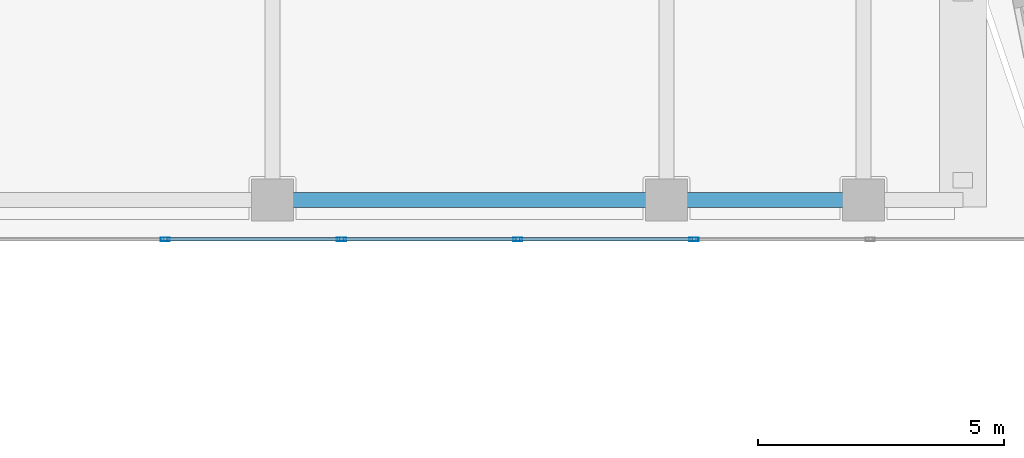
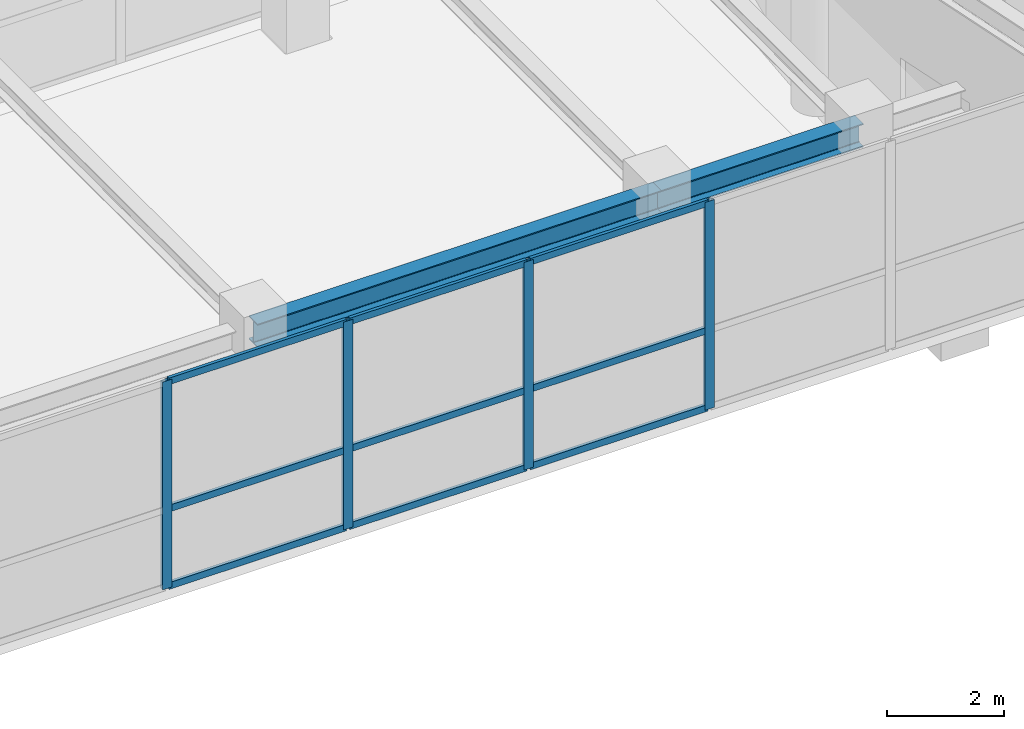
# One storey, part 18 of 44: 13 members, 2 beams, 1 element without a shape of its own.
"""IFC4 building model written with IfcOpenShell, lengths in metres."""

from ifc_helpers import new_model, si_unit, derived_unit, direction, frame, origin, origin_2d, place, context, subcontext, project, spatial, hollow_rectangle, i_section, extrude, source, transform, mapped, material, layer, layer_set, material_profile, profile_set, type_object, element, aggregate, save


model = new_model("IFC4")

# Units and contexts
model_context = context("Model", 3, precision=1e-05, world=origin(), true_north=direction((0.0, 1.0)))
body_context = subcontext(model_context, "Body", "Model", "MODEL_VIEW")
ifc_project = project(units=[si_unit("LENGTHUNIT", "METRE"), si_unit("AREAUNIT", "SQUARE_METRE"), si_unit("VOLUMEUNIT", "CUBIC_METRE"), si_unit("PLANEANGLEUNIT", "RADIAN"), si_unit("MASSUNIT", "GRAM", prefix="KILO"), derived_unit("THERMALTRANSMITTANCEUNIT", [(si_unit("POWERUNIT", "WATT"), 1), (si_unit("LENGTHUNIT", "METRE"), -2), (si_unit("THERMODYNAMICTEMPERATUREUNIT", "KELVIN"), -1)])], contexts=[model_context])

# Site, building, storey
site_placement = place(None, origin())
site = spatial("IfcSite", under=ifc_project, at=site_placement, CompositionType="ELEMENT")
building_placement = place(site_placement, origin())
building = spatial("IfcBuilding", under=site, at=building_placement, Name="Korsvarv Bourse and Concert Hall", CompositionType="ELEMENT")
storey_placement = place(building_placement, frame((0.0, 0.0, 9.60009765625)))
storey = spatial("IfcBuildingStorey", under=building, at=storey_placement, Name="L02", CompositionType="ELEMENT", Elevation=9.60009765625)

# Beams
ifc_material_1 = material(Name="Steel S355", Category="steel")
ifc_material_profile_1 = material_profile(ifc_material_1, i_section(OverallWidth=0.300048828125, OverallDepth=0.489990234375, WebThickness=0.011962890625, FlangeThickness=0.02294921875, FilletRadius=0.02392578125, at=origin_2d()), Name="HEA 500")
ifc_profile_set_1 = profile_set([ifc_material_profile_1], Name="Steel S355")
beam_type = type_object("IfcBeamType", Name="BM-HEA500", PredefinedType="BEAM", material=ifc_profile_set_1)
shared_shape_1 = source(origin(), body_context, "Body", "SweptSolid", [
    extrude(i_section(OverallWidth=0.300048828125, OverallDepth=0.489990234375, WebThickness=0.011962890625, FlangeThickness=0.02294921875, FilletRadius=0.02392578125, at=origin_2d()), origin(), (0.0, 0.0, 1.0), 8.0),
])
beam_1_placement = place(storey_placement, frame((75.5, 29.800048828125, 4.10498046875), z_axis=(1.0, 0.0, 0.0), x_axis=(0.0, 1.0, 0.0)))
element("IfcBeam", 1, at=beam_1_placement, inside=storey, type_object=beam_type, Name="L02 beam B-10", PredefinedType="BEAM", context=body_context, shape_type="MappedRepresentation", body=[
    mapped(shared_shape_1, transform((0.0, 0.0, 0.0), scale=1.0)),
])
shared_shape_2 = source(origin(), body_context, "Body", "SweptSolid", [
    extrude(i_section(OverallWidth=0.300048828125, OverallDepth=0.489990234375, WebThickness=0.011962890625, FlangeThickness=0.02294921875, FilletRadius=0.02392578125, at=origin_2d()), origin(), (0.0, 0.0, 1.0), 4.0),
])
beam_2_placement = place(storey_placement, frame((83.5, 29.800048828125, 4.10498046875), z_axis=(1.0, 0.0, 0.0), x_axis=(0.0, 1.0, 0.0)))
element("IfcBeam", 2, at=beam_2_placement, inside=storey, type_object=beam_type, Name="L02 beam B-10", PredefinedType="BEAM", context=body_context, shape_type="MappedRepresentation", body=[
    mapped(shared_shape_2, transform((0.0, 0.0, 0.0), scale=1.0)),
])

# Curtain wall, members
ifc_material_2 = material(Name="Anodised aluminium and triple low-E glazing", Category="glass")
ifc_layer = layer(ifc_material_2, 0.239990234375)
ifc_layer_set = layer_set([ifc_layer], Name="Anodised aluminium and triple low-E glazing")
curtain_wall_type = type_object("IfcCurtainWallType", Name="CW-SYS-5", PredefinedType="NOTDEFINED", material=ifc_layer_set)
curtain_wall_placement = place(storey_placement, origin())
curtain_wall = element("IfcCurtainWall", 3, at=curtain_wall_placement, inside=storey, type_object=curtain_wall_type, Name="L02 CW5 curtain wall CW-L02-LKS", PredefinedType="NOTDEFINED")
ifc_material_3 = material(Name="Extruded aluminium EN AW-6063 T66", Category="aluminium")
ifc_material_profile_2 = material_profile(ifc_material_3, hollow_rectangle(XDim=0.06494140625, YDim=0.139892578125, WallThickness=0.00390625, at=origin_2d()), Name="ALU-T 65x140")
ifc_profile_set_2 = profile_set([ifc_material_profile_2], Name="Extruded aluminium EN AW-6063 T66")
member_type_1 = type_object("IfcMemberType", Name="CWT-140", PredefinedType="USERDEFINED", material=ifc_profile_set_2)
shared_shape_3 = source(origin(), body_context, "Body", "SweptSolid", [
    extrude(hollow_rectangle(XDim=0.06494140625, YDim=0.139892578125, WallThickness=0.00390625, at=origin_2d()), origin(), (0.0, 0.0, 1.0), 3.510009765625),
])
member_1_placement = place(storey_placement, frame((73.35498046875, 29.0, 0.032470703125), z_axis=(1.0, 0.0, 0.0), x_axis=(0.0, 1.0, 0.0)))
member_1 = element("IfcMember", 4, at=member_1_placement, type_object=member_type_1, Name="CW5 transom 3.1", ObjectType="TRANSOM", PredefinedType="USERDEFINED", context=body_context, shape_type="MappedRepresentation", body=[
    mapped(shared_shape_3, transform((0.0, 0.0, 0.0), scale=1.0)),
])
member_2_placement = place(storey_placement, frame((73.35498046875, 29.0, 1.65283203125), z_axis=(1.0, 0.0, 0.0), x_axis=(0.0, 1.0, 0.0)))
member_2 = element("IfcMember", 5, at=member_2_placement, type_object=member_type_1, Name="CW5 transom 3.2", ObjectType="TRANSOM", PredefinedType="USERDEFINED", context=body_context, shape_type="MappedRepresentation", body=[
    mapped(shared_shape_3, transform((0.0, 0.0, 0.0), scale=1.0)),
])
member_3_placement = place(storey_placement, frame((73.35498046875, 29.0, 4.3173828125), z_axis=(1.0, 0.0, 0.0), x_axis=(0.0, 1.0, 0.0)))
member_3 = element("IfcMember", 6, at=member_3_placement, type_object=member_type_1, Name="CW5 transom 3.3", ObjectType="TRANSOM", PredefinedType="USERDEFINED", context=body_context, shape_type="MappedRepresentation", body=[
    mapped(shared_shape_3, transform((0.0, 0.0, 0.0), scale=1.0)),
])
member_4_placement = place(storey_placement, frame((76.93505859375, 29.0, 0.032470703125), z_axis=(1.0, 0.0, 0.0), x_axis=(0.0, 1.0, 0.0)))
member_4 = element("IfcMember", 7, at=member_4_placement, type_object=member_type_1, Name="CW5 transom 4.1", ObjectType="TRANSOM", PredefinedType="USERDEFINED", context=body_context, shape_type="MappedRepresentation", body=[
    mapped(shared_shape_3, transform((0.0, 0.0, 0.0), scale=1.0)),
])
member_5_placement = place(storey_placement, frame((76.93505859375, 29.0, 1.65283203125), z_axis=(1.0, 0.0, 0.0), x_axis=(0.0, 1.0, 0.0)))
member_5 = element("IfcMember", 8, at=member_5_placement, type_object=member_type_1, Name="CW5 transom 4.2", ObjectType="TRANSOM", PredefinedType="USERDEFINED", context=body_context, shape_type="MappedRepresentation", body=[
    mapped(shared_shape_3, transform((0.0, 0.0, 0.0), scale=1.0)),
])
member_6_placement = place(storey_placement, frame((76.93505859375, 29.0, 4.3173828125), z_axis=(1.0, 0.0, 0.0), x_axis=(0.0, 1.0, 0.0)))
member_6 = element("IfcMember", 9, at=member_6_placement, type_object=member_type_1, Name="CW5 transom 4.3", ObjectType="TRANSOM", PredefinedType="USERDEFINED", context=body_context, shape_type="MappedRepresentation", body=[
    mapped(shared_shape_3, transform((0.0, 0.0, 0.0), scale=1.0)),
])
member_7_placement = place(storey_placement, frame((80.514892578125, 29.0, 0.032470703125), z_axis=(1.0, 0.0, 0.0), x_axis=(0.0, 1.0, 0.0)))
member_7 = element("IfcMember", 10, at=member_7_placement, type_object=member_type_1, Name="CW5 transom 5.1", ObjectType="TRANSOM", PredefinedType="USERDEFINED", context=body_context, shape_type="MappedRepresentation", body=[
    mapped(shared_shape_3, transform((0.0, 0.0, 0.0), scale=1.0)),
])
member_8_placement = place(storey_placement, frame((80.514892578125, 29.0, 1.65283203125), z_axis=(1.0, 0.0, 0.0), x_axis=(0.0, 1.0, 0.0)))
member_8 = element("IfcMember", 11, at=member_8_placement, type_object=member_type_1, Name="CW5 transom 5.2", ObjectType="TRANSOM", PredefinedType="USERDEFINED", context=body_context, shape_type="MappedRepresentation", body=[
    mapped(shared_shape_3, transform((0.0, 0.0, 0.0), scale=1.0)),
])
member_9_placement = place(storey_placement, frame((80.514892578125, 29.0, 4.3173828125), z_axis=(1.0, 0.0, 0.0), x_axis=(0.0, 1.0, 0.0)))
member_9 = element("IfcMember", 12, at=member_9_placement, type_object=member_type_1, Name="CW5 transom 5.3", ObjectType="TRANSOM", PredefinedType="USERDEFINED", context=body_context, shape_type="MappedRepresentation", body=[
    mapped(shared_shape_3, transform((0.0, 0.0, 0.0), scale=1.0)),
])
ifc_material_profile_3 = material_profile(ifc_material_3, hollow_rectangle(XDim=0.070068359375, YDim=0.18994140625, WallThickness=0.0048828125, at=origin_2d()), Name="ALU-M 70x190")
ifc_profile_set_3 = profile_set([ifc_material_profile_3], Name="Extruded aluminium EN AW-6063 T66")
member_type_2 = type_object("IfcMemberType", Name="CWM-190", PredefinedType="MULLION", material=ifc_profile_set_3)
shared_shape_4 = source(origin(), body_context, "Body", "SweptSolid", [
    extrude(hollow_rectangle(XDim=0.070068359375, YDim=0.18994140625, WallThickness=0.0048828125, at=origin_2d()), origin(), (0.0, 0.0, 1.0), 4.349853515625),
])
member_10_placement = place(storey_placement, frame((73.320068359375, 29.0, 0.0), z_axis=(0.0, 0.0, 1.0), x_axis=(0.0, 1.0, 0.0)))
member_10 = element("IfcMember", 13, at=member_10_placement, type_object=member_type_2, Name="CW5 mullion 3", PredefinedType="MULLION", context=body_context, shape_type="MappedRepresentation", body=[
    mapped(shared_shape_4, transform((0.0, 0.0, 0.0), scale=1.0)),
])
member_11_placement = place(storey_placement, frame((76.89990234375, 29.0, 0.0), z_axis=(0.0, 0.0, 1.0), x_axis=(0.0, 1.0, 0.0)))
member_11 = element("IfcMember", 14, at=member_11_placement, type_object=member_type_2, Name="CW5 mullion 4", PredefinedType="MULLION", context=body_context, shape_type="MappedRepresentation", body=[
    mapped(shared_shape_4, transform((0.0, 0.0, 0.0), scale=1.0)),
])
member_12_placement = place(storey_placement, frame((80.47998046875, 29.0, 0.0), z_axis=(0.0, 0.0, 1.0), x_axis=(0.0, 1.0, 0.0)))
member_12 = element("IfcMember", 15, at=member_12_placement, type_object=member_type_2, Name="CW5 mullion 5", PredefinedType="MULLION", context=body_context, shape_type="MappedRepresentation", body=[
    mapped(shared_shape_4, transform((0.0, 0.0, 0.0), scale=1.0)),
])
member_13_placement = place(storey_placement, frame((84.06005859375, 29.0, 0.0), z_axis=(0.0, 0.0, 1.0), x_axis=(0.0, 1.0, 0.0)))
member_13 = element("IfcMember", 16, at=member_13_placement, type_object=member_type_2, Name="CW5 mullion 6", PredefinedType="MULLION", context=body_context, shape_type="MappedRepresentation", body=[
    mapped(shared_shape_4, transform((0.0, 0.0, 0.0), scale=1.0)),
])
aggregate(curtain_wall, [member_10, member_11, member_12, member_13, member_1, member_2, member_3, member_4, member_5, member_6, member_7, member_8, member_9])

save(model, "model.ifc")
